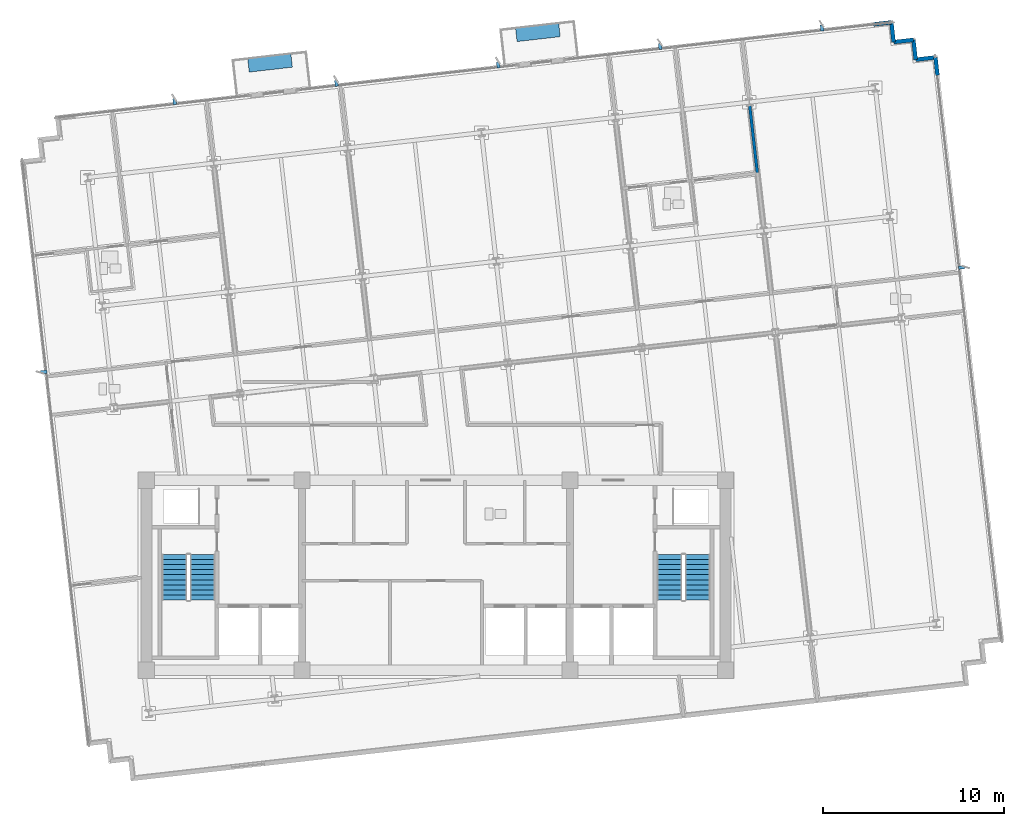
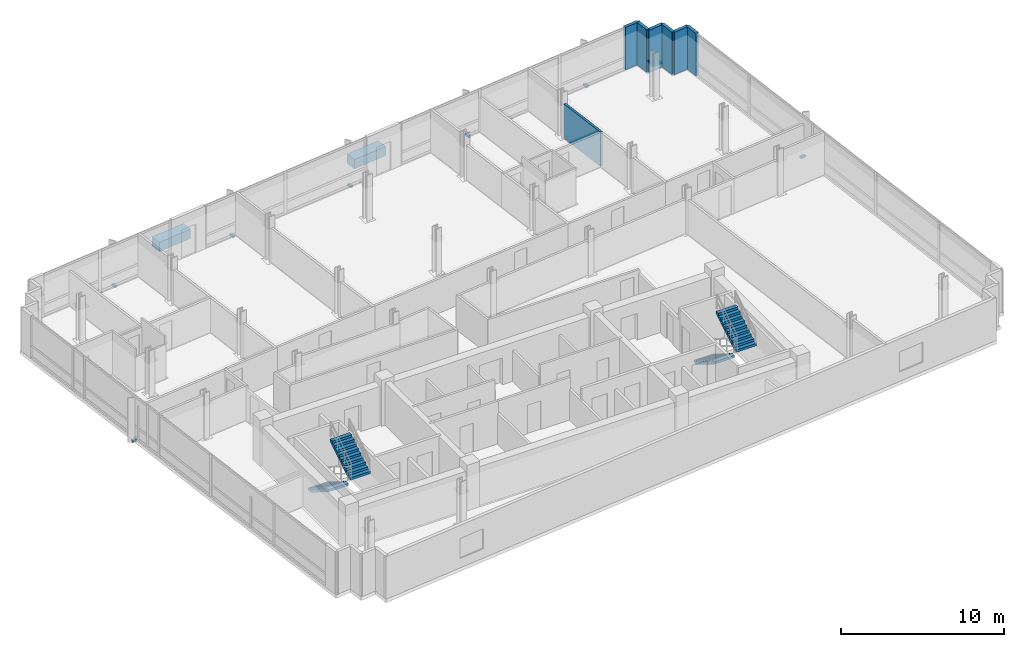
# One storey, part 11 of 15: 9 discrete accessories, 7 walls, 4 stair flights, 2 elements without a shape of their own.
"""IFC4 building model written with IfcOpenShell, lengths in metres."""

from ifc_helpers import new_model, si_unit, direction, frame, frame_2d, origin, origin_2d, place, context, subcontext, project, spatial, polyline, rectangle, outline, extrude, material, layer, layer_set, type_object, element, aggregate, save


model = new_model("IFC4")

# Units and contexts
model_context = context("Model", 3, precision=1e-05, world=origin(), true_north=direction((0.0, 1.0)))
body_context = subcontext(model_context, "Body", "Model", "MODEL_VIEW")
ifc_project = project(units=[si_unit("LENGTHUNIT", "METRE"), si_unit("AREAUNIT", "SQUARE_METRE"), si_unit("VOLUMEUNIT", "CUBIC_METRE"), si_unit("PLANEANGLEUNIT", "RADIAN"), si_unit("MASSUNIT", "GRAM", prefix="KILO")], contexts=[model_context])

# Site, building, storey
site_placement = place(None, origin())
site = spatial("IfcSite", under=ifc_project, at=site_placement, CompositionType="ELEMENT")
building_placement = place(site_placement, origin())
building = spatial("IfcBuilding", under=site, at=building_placement, Name="Solmavex Isthmus Hotel", CompositionType="ELEMENT")
storey_placement = place(building_placement, frame((0.0, 0.0, 226.199951171875)))
storey = spatial("IfcBuildingStorey", under=building, at=storey_placement, Name="L61", CompositionType="ELEMENT", Elevation=226.199951171875)

# Walls
ifc_material_1 = material(Name="Precast Concrete C40/50", Category="concrete")
ifc_layer_1 = layer(ifc_material_1, 0.25)
ifc_layer_set_1 = layer_set([ifc_layer_1], Name="Precast Concrete C40/50")
wall_type_1 = type_object("IfcWallType", Name="EW-TWR-250", PredefinedType="STANDARD", material=ifc_layer_set_1)
wall_1_placement = place(storey_placement, frame((24.175537109375, 22.684814453125, 0.0), z_axis=(0.0, 0.0, 1.0), x_axis=(0.993573147212, 0.113191877531, 0.0)))
element("IfcWall", 1, at=wall_1_placement, inside=storey, type_object=wall_type_1, Name="Serrated Corner Facade Panel L61-14", PredefinedType="STANDARD", context=body_context, shape_type="SweptSolid", body=[
    extrude(rectangle(XDim=0.989990234375, YDim=0.219970703125, at=frame_2d((0.4951171875, 0.0))), origin(), (0.0, 0.0, 1.0), 3.18994140625),
])
for number, where, z_axis, x_axis, name in (
    (2, (25.1591796875, 22.796875, 0.0), (0.0, 0.0, 1.0), (0.11320852056, -0.99357125103, 0.0), "Serrated Corner Facade Panel L61-15"),
    (3, (25.28369140625, 21.7041015625, 0.0), (0.0, 0.0, 1.0), (0.99357125103, 0.11320852056, 0.0), "Serrated Corner Facade Panel L61-16"),
):
    element("IfcWall", number, at=place(storey_placement, frame(where, z_axis=z_axis, x_axis=x_axis)), inside=storey, type_object=wall_type_1, Name=name, PredefinedType="STANDARD", context=body_context, shape_type="SweptSolid", body=[
        extrude(rectangle(XDim=1.099853515625, YDim=0.219970703125, at=frame_2d((0.5498046875, 0.0))), origin(), (0.0, 0.0, 1.0), 3.18994140625),
    ])
wall_2_placement = place(storey_placement, frame((26.37646484375, 21.82861328125, 0.0), z_axis=(0.0, 0.0, 1.0), x_axis=(0.113402635104, -0.993549114212, 0.0)))
element("IfcWall", 4, at=wall_2_placement, inside=storey, type_object=wall_type_1, Name="Serrated Corner Facade Panel L61-17", PredefinedType="STANDARD", context=body_context, shape_type="SweptSolid", body=[
    extrude(rectangle(XDim=1.10009765625, YDim=0.219970703125, at=frame_2d((0.550048828125, 0.0))), origin(), (0.0, 0.0, 1.0), 3.18994140625),
])
wall_3_placement = place(storey_placement, frame((26.501220703125, 20.735595703125, 0.0), z_axis=(0.0, 0.0, 1.0), x_axis=(0.99357125103, 0.11320852056, 0.0)))
element("IfcWall", 5, at=wall_3_placement, inside=storey, type_object=wall_type_1, Name="Serrated Corner Facade Panel L61-18", PredefinedType="STANDARD", context=body_context, shape_type="SweptSolid", body=[
    extrude(rectangle(XDim=1.099853515625, YDim=0.219970703125, at=frame_2d((0.5498046875, 0.0))), origin(), (0.0, 0.0, 1.0), 3.18994140625),
])
wall_4_placement = place(storey_placement, frame((27.593994140625, 20.860107421875, 0.0), z_axis=(0.0, 0.0, 1.0), x_axis=(0.113191877531, -0.993573147212, 0.0)))
element("IfcWall", 6, at=wall_4_placement, inside=storey, type_object=wall_type_1, Name="Serrated Corner Facade Panel L61-19", PredefinedType="STANDARD", context=body_context, shape_type="SweptSolid", body=[
    extrude(rectangle(XDim=0.989990234375, YDim=0.219970703125, at=frame_2d((0.4951171875, 0.0))), origin(), (0.0, 0.0, 1.0), 3.18994140625),
])
ifc_material_2 = material(Name="Gypsum plasterboard lining", Category="gypsum")
ifc_layer_2 = layer(ifc_material_2, 0.159912109375)
ifc_layer_set_2 = layer_set([ifc_layer_2], Name="Gypsum plasterboard lining")
wall_type_2 = type_object("IfcWallType", Name="IW-COMP-160", PredefinedType="PARTITIONING", material=ifc_layer_set_2)
wall_5_placement = place(storey_placement, frame((17.32958984375, 18.21484375, 0.0), z_axis=(0.0, 0.0, 1.0), x_axis=(0.11319107796, -0.993573238302, 0.0)))
element("IfcWall", 7, at=wall_5_placement, inside=storey, type_object=wall_type_2, Name="Interior Partition Wall W-L61-P051", PredefinedType="PARTITIONING", context=body_context, shape_type="SweptSolid", body=[
    extrude(rectangle(XDim=3.8154296875, YDim=0.159912109375, at=frame_2d((1.90771484375, 0.0))), origin(), (0.0, 0.0, 1.0), 2.572265625),
])

# Stair, stair flights
ifc_material_3 = material(Name="Concrete C40/50", Category="concrete")
stair_type_1 = type_object("IfcStairType", Name="STR-ST-1", PredefinedType="HALF_TURN_STAIR", material=ifc_material_3)
stair_1_placement = place(storey_placement, origin())
stair_1 = element("IfcStair", 8, at=stair_1_placement, inside=storey, type_object=stair_type_1, Name="L61 Protected Exit Stair ST-1", PredefinedType="HALF_TURN_STAIR")
stair_flight_type_1 = type_object("IfcStairFlightType", Name="SFL-ST-1", PredefinedType="STRAIGHT", material=ifc_material_3)
stair_flight_1_placement = place(storey_placement, frame((-14.449951171875, -6.60009765625, 0.0), z_axis=(0.0, 0.0, 1.0), x_axis=(0.0, -1.0, 0.0)))
stair_flight_1 = element("IfcStairFlight", 9, at=stair_flight_1_placement, type_object=stair_flight_type_1, Name="ST-1 flight 1", NumberOfRisers=10, NumberOfTreads=9, PredefinedType="STRAIGHT", RiserHeight=0.1725, TreadLength=0.28, context=body_context, shape_type="SweptSolid", body=[
    extrude(outline(polyline([(0.0, 0.0), (0.0, 0.172607421875), (0.280029296875, 0.172607421875), (0.280029296875, 0.344970703125), (0.56005859375, 0.344970703125), (0.56005859375, 0.517578125), (0.840087890625, 0.517578125), (0.840087890625, 0.68994140625), (1.1201171875, 0.68994140625), (1.1201171875, 0.862548828125), (1.39990234375, 0.862548828125), (1.39990234375, 1.034912109375), (1.679931640625, 1.034912109375), (1.679931640625, 1.20751953125), (1.9599609375, 1.20751953125), (1.9599609375, 1.3798828125), (2.239990234375, 1.3798828125), (2.239990234375, 1.552490234375), (2.52001953125, 1.552490234375), (2.52001953125, 1.72509765625), (2.52001953125, 1.37646484375), (0.285888671875, 0.0), (0.0, 0.0)])), frame((0.0, 0.699951171875, 0.0), z_axis=(0.0, -1.0, 0.0), x_axis=(1.0, 0.0, 0.0)), (0.0, 0.0, 1.0), 1.39990234375),
])
stair_flight_2_placement = place(storey_placement, frame((-12.89990234375, -9.1201171875, 1.72509765625), z_axis=(0.0, 0.0, 1.0), x_axis=(0.0, 1.0, 0.0)))
stair_flight_2 = element("IfcStairFlight", 10, at=stair_flight_2_placement, type_object=stair_flight_type_1, Name="ST-1 flight 2", NumberOfRisers=10, NumberOfTreads=9, PredefinedType="STRAIGHT", RiserHeight=0.1725, TreadLength=0.28, context=body_context, shape_type="SweptSolid", body=[
    extrude(outline(polyline([(0.0, 0.0), (0.0, 0.172607421875), (0.280029296875, 0.172607421875), (0.280029296875, 0.344970703125), (0.56005859375, 0.344970703125), (0.56005859375, 0.517578125), (0.840087890625, 0.517578125), (0.840087890625, 0.68994140625), (1.1201171875, 0.68994140625), (1.1201171875, 0.862548828125), (1.39990234375, 0.862548828125), (1.39990234375, 1.034912109375), (1.679931640625, 1.034912109375), (1.679931640625, 1.20751953125), (1.9599609375, 1.20751953125), (1.9599609375, 1.3798828125), (2.239990234375, 1.3798828125), (2.239990234375, 1.552490234375), (2.52001953125, 1.552490234375), (2.52001953125, 1.72509765625), (2.52001953125, 1.37646484375), (0.285888671875, 0.0), (0.0, 0.0)])), frame((0.0, 0.699951171875, 0.0), z_axis=(0.0, -1.0, 0.0), x_axis=(1.0, 0.0, 0.0)), (0.0, 0.0, 1.0), 1.39990234375),
])
aggregate(stair_1, [stair_flight_1, stair_flight_2])

stair_type_2 = type_object("IfcStairType", Name="STR-ST-2", PredefinedType="HALF_TURN_STAIR", material=ifc_material_3)
stair_2_placement = place(storey_placement, origin())
stair_2 = element("IfcStair", 11, at=stair_2_placement, inside=storey, type_object=stair_type_2, Name="L61 Protected Exit Stair ST-2", PredefinedType="HALF_TURN_STAIR")
stair_flight_type_2 = type_object("IfcStairFlightType", Name="SFL-ST-2", PredefinedType="STRAIGHT", material=ifc_material_3)
stair_flight_3_placement = place(storey_placement, frame((12.89990234375, -6.60009765625, 0.0), z_axis=(0.0, 0.0, 1.0), x_axis=(0.0, -1.0, 0.0)))
stair_flight_3 = element("IfcStairFlight", 12, at=stair_flight_3_placement, type_object=stair_flight_type_2, Name="ST-2 flight 1", NumberOfRisers=10, NumberOfTreads=9, PredefinedType="STRAIGHT", RiserHeight=0.1725, TreadLength=0.28, context=body_context, shape_type="SweptSolid", body=[
    extrude(outline(polyline([(0.0, 0.0), (0.0, 0.172607421875), (0.280029296875, 0.172607421875), (0.280029296875, 0.344970703125), (0.56005859375, 0.344970703125), (0.56005859375, 0.517578125), (0.840087890625, 0.517578125), (0.840087890625, 0.68994140625), (1.1201171875, 0.68994140625), (1.1201171875, 0.862548828125), (1.39990234375, 0.862548828125), (1.39990234375, 1.034912109375), (1.679931640625, 1.034912109375), (1.679931640625, 1.20751953125), (1.9599609375, 1.20751953125), (1.9599609375, 1.3798828125), (2.239990234375, 1.3798828125), (2.239990234375, 1.552490234375), (2.52001953125, 1.552490234375), (2.52001953125, 1.72509765625), (2.52001953125, 1.37646484375), (0.285888671875, 0.0), (0.0, 0.0)])), frame((0.0, 0.699951171875, 0.0), z_axis=(0.0, -1.0, 0.0), x_axis=(1.0, 0.0, 0.0)), (0.0, 0.0, 1.0), 1.39990234375),
])
stair_flight_4_placement = place(storey_placement, frame((14.449951171875, -9.1201171875, 1.72509765625), z_axis=(0.0, 0.0, 1.0), x_axis=(0.0, 1.0, 0.0)))
stair_flight_4 = element("IfcStairFlight", 13, at=stair_flight_4_placement, type_object=stair_flight_type_2, Name="ST-2 flight 2", NumberOfRisers=10, NumberOfTreads=9, PredefinedType="STRAIGHT", RiserHeight=0.1725, TreadLength=0.28, context=body_context, shape_type="SweptSolid", body=[
    extrude(outline(polyline([(0.0, 0.0), (0.0, 0.172607421875), (0.280029296875, 0.172607421875), (0.280029296875, 0.344970703125), (0.56005859375, 0.344970703125), (0.56005859375, 0.517578125), (0.840087890625, 0.517578125), (0.840087890625, 0.68994140625), (1.1201171875, 0.68994140625), (1.1201171875, 0.862548828125), (1.39990234375, 0.862548828125), (1.39990234375, 1.034912109375), (1.679931640625, 1.034912109375), (1.679931640625, 1.20751953125), (1.9599609375, 1.20751953125), (1.9599609375, 1.3798828125), (2.239990234375, 1.3798828125), (2.239990234375, 1.552490234375), (2.52001953125, 1.552490234375), (2.52001953125, 1.72509765625), (2.52001953125, 1.37646484375), (0.285888671875, 0.0), (0.0, 0.0)])), frame((0.0, 0.699951171875, 0.0), z_axis=(0.0, -1.0, 0.0), x_axis=(1.0, 0.0, 0.0)), (0.0, 0.0, 1.0), 1.39990234375),
])
aggregate(stair_2, [stair_flight_3, stair_flight_4])

# Discrete accessories
ifc_material_4 = material(Name="Steel ASTM A572 Grade 50", Category="steel")
discrete_accessory_type_1 = type_object("IfcDiscreteAccessoryType", Name="ACC-BRK-FIN", PredefinedType="BRACKET", material=ifc_material_4)
for number, where, z_axis, x_axis, name in (
    (14, (-14.439453125, 18.416015625, -0.169921875), (0.0, 0.0, 1.0), (-0.113203213768, 0.993571855677, 0.0), "Facade Fin Support Bracket L61-N1"),
    (15, (-5.497314453125, 19.43505859375, -0.169921875), (0.0, 0.0, 1.0), (-0.113203213768, 0.993571855677, 0.0), "Facade Fin Support Bracket L61-N2"),
    (16, (3.44482421875, 20.453857421875, -0.169921875), (0.0, 0.0, 1.0), (-0.113203213768, 0.993571855677, 0.0), "Facade Fin Support Bracket L61-N3"),
    (17, (12.386962890625, 21.47265625, -0.169921875), (0.0, 0.0, 1.0), (-0.113203213768, 0.993571855677, 0.0), "Facade Fin Support Bracket L61-N4"),
    (18, (21.3291015625, 22.491455078125, -0.169921875), (0.0, 0.0, 1.0), (-0.113203213768, 0.993571855677, 0.0), "Facade Fin Support Bracket L61-N5"),
    (19, (-21.665283203125, 3.482177734375, -0.169921875), (0.0, 0.0, 1.0), (-0.993571855677, -0.113203213768, 0.0), "Facade Fin Support Bracket L61-W1"),
    (20, (29.046630859375, 9.260009765625, -0.169921875), (0.0, 0.0, 1.0), (0.993571855677, 0.113203213768, 0.0), "Facade Fin Support Bracket L61-E1"),
):
    element("IfcDiscreteAccessory", number, at=place(storey_placement, frame(where, z_axis=z_axis, x_axis=x_axis)), inside=storey, type_object=discrete_accessory_type_1, Name=name, PredefinedType="BRACKET", context=body_context, shape_type="SweptSolid", body=[
        extrude(rectangle(XDim=0.340087890625, YDim=0.179931640625, at=origin_2d()), origin(), (0.0, 0.0, 1.0), 0.159912109375),
    ])
discrete_accessory_type_2 = type_object("IfcDiscreteAccessoryType", Name="ACC-PLN-BALC", PredefinedType="USERDEFINED", material=ifc_material_1)
for number, where, z_axis, x_axis, name in (
    (21, (-9.1669921875, 20.556640625, 0.0), (0.0, 0.0, 1.0), (0.993571855677, 0.113203213768, 0.0), "Tree-Balcony Architectural Planter L61-B1"),
    (22, (5.62939453125, 22.24267578125, 0.0), (0.0, 0.0, 1.0), (0.993571855677, 0.113203213768, 0.0), "Tree-Balcony Architectural Planter L61-B2"),
):
    element("IfcDiscreteAccessory", number, at=place(storey_placement, frame(where, z_axis=z_axis, x_axis=x_axis)), inside=storey, type_object=discrete_accessory_type_2, Name=name, ObjectType="PLANTER", PredefinedType="USERDEFINED", context=body_context, shape_type="SweptSolid", body=[
        extrude(rectangle(XDim=2.39990234375, YDim=0.75, at=origin_2d()), origin(), (0.0, 0.0, 1.0), 0.699951171875),
    ])

save(model, "model.ifc")
